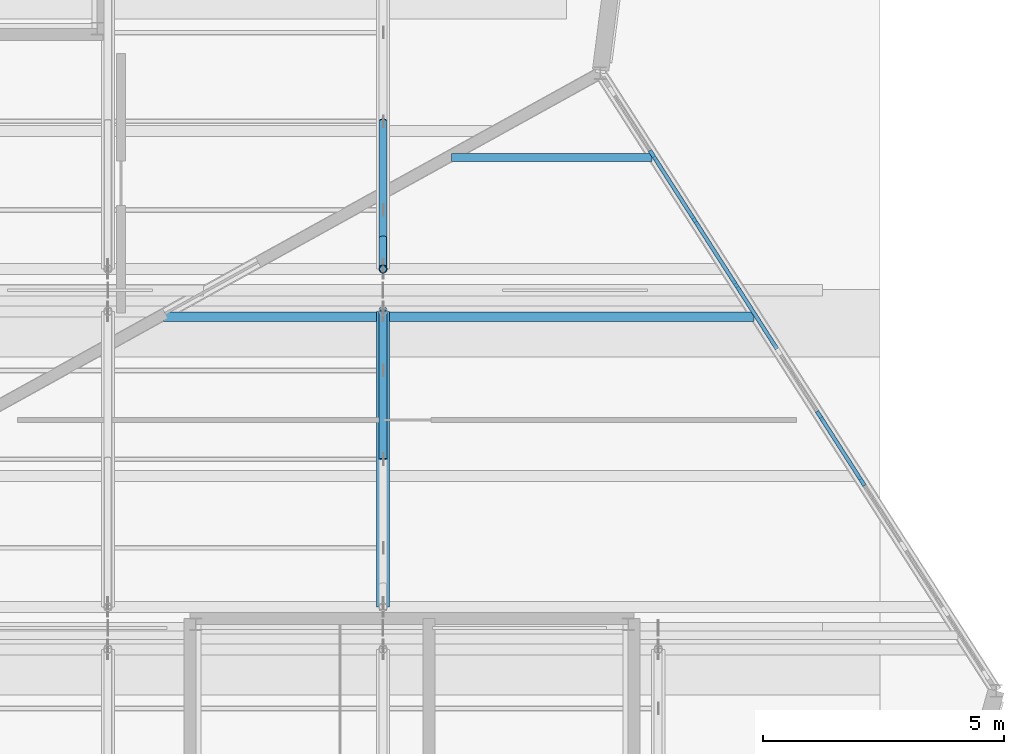
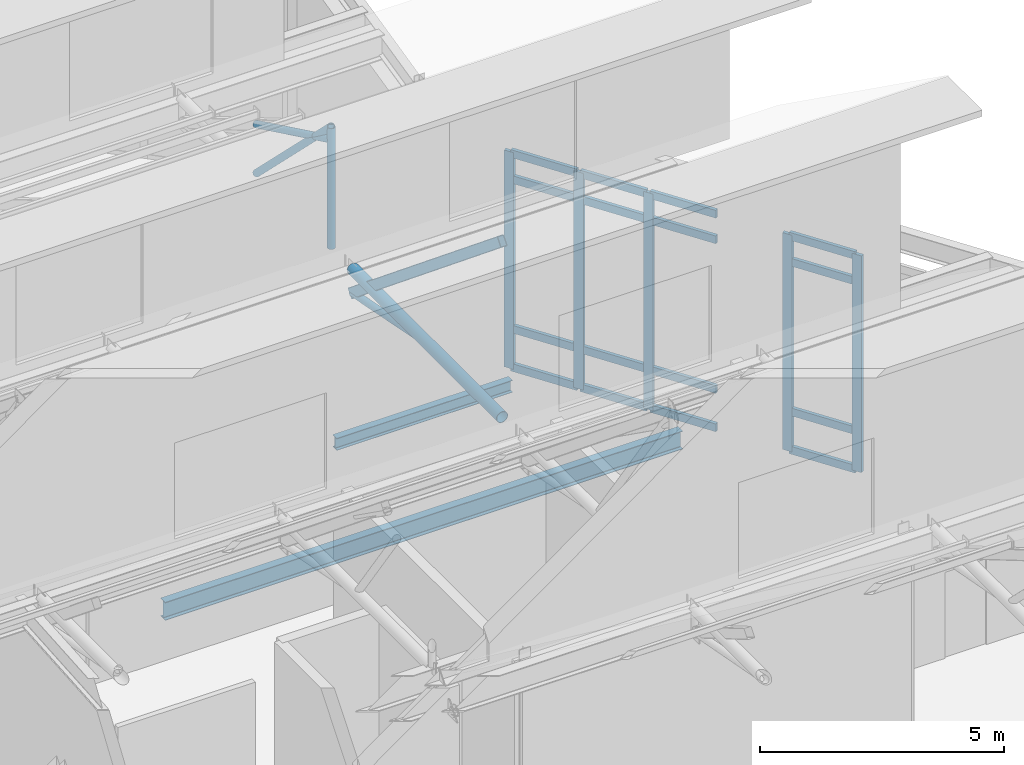
# One storey, part 35 of 55: 27 members, 2 beams, 1 element without a shape of its own.
"""IFC4 building model written with IfcOpenShell, lengths in metres."""

from ifc_helpers import new_model, si_unit, direction, frame, origin, origin_2d, place, context, subcontext, project, spatial, rectangle, hollow_rectangle, hollow_circle, i_section, extrude, material, material_profile, profile_set, type_object, element, aggregate, save


model = new_model("IFC4")

# Units and contexts
model_context = context("Model", 3, precision=1e-05, world=origin(), true_north=direction((0.0, 1.0)))
body_context = subcontext(model_context, "Body", "Model", "MODEL_VIEW")
ifc_project = project(units=[si_unit("LENGTHUNIT", "METRE"), si_unit("AREAUNIT", "SQUARE_METRE"), si_unit("VOLUMEUNIT", "CUBIC_METRE"), si_unit("PLANEANGLEUNIT", "RADIAN"), si_unit("MASSUNIT", "GRAM", prefix="KILO")], contexts=[model_context])

# Site, building, storey
site_placement = place(None, origin())
site = spatial("IfcSite", under=ifc_project, at=site_placement, CompositionType="ELEMENT")
building_placement = place(site_placement, origin())
building = spatial("IfcBuilding", under=site, at=building_placement, Name="Tameran Prism Museum", CompositionType="ELEMENT")
storey_placement = place(building_placement, frame((0.0, 0.0, 28.800048828125)))
storey = spatial("IfcBuildingStorey", under=building, at=storey_placement, Name="L05", CompositionType="ELEMENT", Elevation=28.800048828125)

# Beams
ifc_material_1 = material(Name="Steel Grade 300PLUS (300 MPa)", Category="steel")
ifc_material_profile_1 = material_profile(ifc_material_1, i_section(OverallWidth=0.1650390625, OverallDepth=0.303955078125, WebThickness=0.006103515625, FlangeThickness=0.01025390625, FilletRadius=0.011474609375, at=origin_2d()))
ifc_profile_set_1 = profile_set([ifc_material_profile_1])
beam_type_1 = type_object("IfcBeamType", Name="BM-J310B", PredefinedType="JOIST", material=ifc_profile_set_1)
beam_1_placement = place(storey_placement, frame((131.81689453125, 96.25, -0.39208984375), z_axis=(1.0, 0.0, 0.0), x_axis=(0.0, 1.0, 0.0)))
element("IfcBeam", 1, at=beam_1_placement, inside=storey, type_object=beam_type_1, Name="Floor Beam BM-1305", PredefinedType="JOIST", context=body_context, shape_type="SweptSolid", body=[
    extrude(i_section(OverallWidth=0.1650390625, OverallDepth=0.303955078125, WebThickness=0.006103515625, FlangeThickness=0.01025390625, FilletRadius=0.011474609375, at=origin_2d()), origin(), (0.0, 0.0, 1.0), 4.1572265625),
])
ifc_material_2 = material(Name="Steel Grade 300PLUS (300 MPa)", Category="steel")
ifc_material_profile_2 = material_profile(ifc_material_2, i_section(OverallWidth=0.18994140625, OverallDepth=0.4541015625, WebThickness=0.008544921875, FlangeThickness=0.0126953125, FilletRadius=0.011474609375, at=origin_2d()))
ifc_profile_set_2 = profile_set([ifc_material_profile_2])
beam_type_2 = type_object("IfcBeamType", Name="BM-J460B", PredefinedType="JOIST", material=ifc_profile_set_2)
beam_2_placement = place(storey_placement, frame((125.846923828125, 92.949951171875, -0.467041015625), z_axis=(1.0, 0.0, 0.0), x_axis=(0.0, 1.0, 0.0)))
element("IfcBeam", 2, at=beam_2_placement, inside=storey, type_object=beam_type_2, Name="Floor Beam BM-1304", PredefinedType="JOIST", context=body_context, shape_type="SweptSolid", body=[
    extrude(i_section(OverallWidth=0.18994140625, OverallDepth=0.4541015625, WebThickness=0.008544921875, FlangeThickness=0.0126953125, FilletRadius=0.011474609375, at=origin_2d()), origin(), (0.0, 0.0, 1.0), 12.240966796875),
])

# Curtain wall, members
ifc_material_3 = material(Name="Anodised Aluminium 6063-T6 and Cyclone Solar Glass", Category="aluminium")
curtain_wall_type = type_object("IfcCurtainWallType", Name="CW-FAC-1444x542", PredefinedType="USERDEFINED", material=ifc_material_3)
curtain_wall_placement = place(storey_placement, origin())
curtain_wall = element("IfcCurtainWall", 3, at=curtain_wall_placement, inside=storey, type_object=curtain_wall_type, Name="Unitised Curtain Wall CW-166", ObjectType="UNITISED CURTAIN WALL", PredefinedType="USERDEFINED")
ifc_material_4 = material(Name="Anodised Aluminium Alloy 6063-T6", Category="aluminium")
ifc_material_profile_3 = material_profile(ifc_material_4, rectangle(XDim=0.080078125, YDim=0.219970703125, at=origin_2d()))
ifc_profile_set_3 = profile_set([ifc_material_profile_3])
member_type_1 = type_object("IfcMemberType", Name="CW-MUL-D", PredefinedType="MULLION", material=ifc_profile_set_3)
member_1_placement = place(storey_placement, frame((135.986572265625, 96.303955078125, 0.0), z_axis=(0.0, 0.0, 1.0), x_axis=(0.842032375697, 0.539426990683, 0.0)))
member_1 = element("IfcMember", 4, at=member_1_placement, type_object=member_type_1, Name="CW-166 mullion 2", PredefinedType="MULLION", context=body_context, shape_type="SweptSolid", body=[
    extrude(rectangle(XDim=0.080078125, YDim=0.219970703125, at=origin_2d()), origin(), (0.0, 0.0, 1.0), 5.419921875),
])
member_2_placement = place(storey_placement, frame((136.85205078125, 94.952880859375, 0.0), z_axis=(0.0, 0.0, 1.0), x_axis=(0.842032375697, 0.539426990683, 0.0)))
member_2 = element("IfcMember", 5, at=member_2_placement, type_object=member_type_1, Name="CW-166 mullion 3", PredefinedType="MULLION", context=body_context, shape_type="SweptSolid", body=[
    extrude(rectangle(XDim=0.080078125, YDim=0.219970703125, at=origin_2d()), origin(), (0.0, 0.0, 1.0), 5.419921875),
])
member_3_placement = place(storey_placement, frame((137.7177734375, 93.6015625, 0.0), z_axis=(0.0, 0.0, 1.0), x_axis=(0.842032375697, 0.539426990683, 0.0)))
member_3 = element("IfcMember", 6, at=member_3_placement, type_object=member_type_1, Name="CW-166 mullion 4", PredefinedType="MULLION", context=body_context, shape_type="SweptSolid", body=[
    extrude(rectangle(XDim=0.080078125, YDim=0.219970703125, at=origin_2d()), origin(), (0.0, 0.0, 1.0), 5.419921875),
])
member_4_placement = place(storey_placement, frame((139.44873046875, 90.8994140625, 0.0), z_axis=(0.0, 0.0, 1.0), x_axis=(0.842032375697, 0.539426990683, 0.0)))
member_4 = element("IfcMember", 7, at=member_4_placement, type_object=member_type_1, Name="CW-166 mullion 6", PredefinedType="MULLION", context=body_context, shape_type="SweptSolid", body=[
    extrude(rectangle(XDim=0.080078125, YDim=0.219970703125, at=origin_2d()), origin(), (0.0, 0.0, 1.0), 5.419921875),
])
member_5_placement = place(storey_placement, frame((140.314453125, 89.54833984375, 0.0), z_axis=(0.0, 0.0, 1.0), x_axis=(0.842032375697, 0.539426990683, 0.0)))
member_5 = element("IfcMember", 8, at=member_5_placement, type_object=member_type_1, Name="CW-166 mullion 7", PredefinedType="MULLION", context=body_context, shape_type="SweptSolid", body=[
    extrude(rectangle(XDim=0.080078125, YDim=0.219970703125, at=origin_2d()), origin(), (0.0, 0.0, 1.0), 5.419921875),
])
ifc_material_5 = material(Name="Anodised Aluminium Alloy 6063-T6", Category="aluminium")
ifc_material_profile_4 = material_profile(ifc_material_5, rectangle(XDim=0.080078125, YDim=0.195068359375, at=origin_2d()))
ifc_profile_set_4 = profile_set([ifc_material_profile_4])
member_type_2 = type_object("IfcMemberType", Name="CW-TRN-D", PredefinedType="USERDEFINED", material=ifc_profile_set_4)
member_6_placement = place(storey_placement, frame((136.008056640625, 96.270263671875, 0.0400390625), z_axis=(0.539494402493, -0.8419891862, 0.0), x_axis=(0.8419891862, 0.539494402493, 0.0)))
member_6 = element("IfcMember", 9, at=member_6_placement, type_object=member_type_2, Name="CW-166 transom 2.1", ObjectType="TRANSOM", PredefinedType="USERDEFINED", context=body_context, shape_type="SweptSolid", body=[
    extrude(rectangle(XDim=0.080078125, YDim=0.195068359375, at=origin_2d()), origin(), (0.0, 0.0, 1.0), 1.524658203125),
])
member_7_placement = place(storey_placement, frame((136.008056640625, 96.270263671875, 1.0), z_axis=(0.539494402493, -0.8419891862, 0.0), x_axis=(0.8419891862, 0.539494402493, 0.0)))
member_7 = element("IfcMember", 10, at=member_7_placement, type_object=member_type_2, Name="CW-166 transom 2.2", ObjectType="TRANSOM", PredefinedType="USERDEFINED", context=body_context, shape_type="SweptSolid", body=[
    extrude(rectangle(XDim=0.080078125, YDim=0.195068359375, at=origin_2d()), origin(), (0.0, 0.0, 1.0), 1.524658203125),
])
member_8_placement = place(storey_placement, frame((136.008056640625, 96.270263671875, 4.739990234375), z_axis=(0.539494402493, -0.8419891862, 0.0), x_axis=(0.8419891862, 0.539494402493, 0.0)))
member_8 = element("IfcMember", 11, at=member_8_placement, type_object=member_type_2, Name="CW-166 transom 2.3", ObjectType="TRANSOM", PredefinedType="USERDEFINED", context=body_context, shape_type="SweptSolid", body=[
    extrude(rectangle(XDim=0.080078125, YDim=0.195068359375, at=origin_2d()), origin(), (0.0, 0.0, 1.0), 1.524658203125),
])
member_9_placement = place(storey_placement, frame((136.008056640625, 96.270263671875, 5.3798828125), z_axis=(0.539494402493, -0.8419891862, 0.0), x_axis=(0.8419891862, 0.539494402493, 0.0)))
member_9 = element("IfcMember", 12, at=member_9_placement, type_object=member_type_2, Name="CW-166 transom 2.4", ObjectType="TRANSOM", PredefinedType="USERDEFINED", context=body_context, shape_type="SweptSolid", body=[
    extrude(rectangle(XDim=0.080078125, YDim=0.195068359375, at=origin_2d()), origin(), (0.0, 0.0, 1.0), 1.524658203125),
])
member_10_placement = place(storey_placement, frame((136.873779296875, 94.919189453125, 0.0400390625), z_axis=(0.539308130352, -0.842108508766, 0.0), x_axis=(0.842108508766, 0.539308130352, 0.0)))
member_10 = element("IfcMember", 13, at=member_10_placement, type_object=member_type_2, Name="CW-166 transom 3.1", ObjectType="TRANSOM", PredefinedType="USERDEFINED", context=body_context, shape_type="SweptSolid", body=[
    extrude(rectangle(XDim=0.080078125, YDim=0.195068359375, at=origin_2d()), origin(), (0.0, 0.0, 1.0), 1.524658203125),
])
member_11_placement = place(storey_placement, frame((136.873779296875, 94.919189453125, 1.0), z_axis=(0.539308130352, -0.842108508766, 0.0), x_axis=(0.842108508766, 0.539308130352, 0.0)))
member_11 = element("IfcMember", 14, at=member_11_placement, type_object=member_type_2, Name="CW-166 transom 3.2", ObjectType="TRANSOM", PredefinedType="USERDEFINED", context=body_context, shape_type="SweptSolid", body=[
    extrude(rectangle(XDim=0.080078125, YDim=0.195068359375, at=origin_2d()), origin(), (0.0, 0.0, 1.0), 1.524658203125),
])
member_12_placement = place(storey_placement, frame((136.873779296875, 94.919189453125, 4.739990234375), z_axis=(0.539308130352, -0.842108508766, 0.0), x_axis=(0.842108508766, 0.539308130352, 0.0)))
member_12 = element("IfcMember", 15, at=member_12_placement, type_object=member_type_2, Name="CW-166 transom 3.3", ObjectType="TRANSOM", PredefinedType="USERDEFINED", context=body_context, shape_type="SweptSolid", body=[
    extrude(rectangle(XDim=0.080078125, YDim=0.195068359375, at=origin_2d()), origin(), (0.0, 0.0, 1.0), 1.524658203125),
])
member_13_placement = place(storey_placement, frame((136.873779296875, 94.919189453125, 5.3798828125), z_axis=(0.539308130352, -0.842108508766, 0.0), x_axis=(0.842108508766, 0.539308130352, 0.0)))
member_13 = element("IfcMember", 16, at=member_13_placement, type_object=member_type_2, Name="CW-166 transom 3.4", ObjectType="TRANSOM", PredefinedType="USERDEFINED", context=body_context, shape_type="SweptSolid", body=[
    extrude(rectangle(XDim=0.080078125, YDim=0.195068359375, at=origin_2d()), origin(), (0.0, 0.0, 1.0), 1.524658203125),
])
member_14_placement = place(storey_placement, frame((137.7392578125, 93.56787109375, 0.0400390625), z_axis=(0.539380860834, -0.84206192585, 0.0), x_axis=(0.84206192585, 0.539380860834, 0.0)))
member_14 = element("IfcMember", 17, at=member_14_placement, type_object=member_type_2, Name="CW-166 transom 4.1", ObjectType="TRANSOM", PredefinedType="USERDEFINED", context=body_context, shape_type="SweptSolid", body=[
    extrude(rectangle(XDim=0.080078125, YDim=0.195068359375, at=origin_2d()), origin(), (0.0, 0.0, 1.0), 1.5244140625),
])
member_15_placement = place(storey_placement, frame((137.7392578125, 93.56787109375, 1.0), z_axis=(0.539380860834, -0.84206192585, 0.0), x_axis=(0.84206192585, 0.539380860834, 0.0)))
member_15 = element("IfcMember", 18, at=member_15_placement, type_object=member_type_2, Name="CW-166 transom 4.2", ObjectType="TRANSOM", PredefinedType="USERDEFINED", context=body_context, shape_type="SweptSolid", body=[
    extrude(rectangle(XDim=0.080078125, YDim=0.195068359375, at=origin_2d()), origin(), (0.0, 0.0, 1.0), 1.5244140625),
])
member_16_placement = place(storey_placement, frame((137.7392578125, 93.56787109375, 4.739990234375), z_axis=(0.539380860834, -0.84206192585, 0.0), x_axis=(0.84206192585, 0.539380860834, 0.0)))
member_16 = element("IfcMember", 19, at=member_16_placement, type_object=member_type_2, Name="CW-166 transom 4.3", ObjectType="TRANSOM", PredefinedType="USERDEFINED", context=body_context, shape_type="SweptSolid", body=[
    extrude(rectangle(XDim=0.080078125, YDim=0.195068359375, at=origin_2d()), origin(), (0.0, 0.0, 1.0), 1.5244140625),
])
member_17_placement = place(storey_placement, frame((137.7392578125, 93.56787109375, 5.3798828125), z_axis=(0.539380860834, -0.84206192585, 0.0), x_axis=(0.84206192585, 0.539380860834, 0.0)))
member_17 = element("IfcMember", 20, at=member_17_placement, type_object=member_type_2, Name="CW-166 transom 4.4", ObjectType="TRANSOM", PredefinedType="USERDEFINED", context=body_context, shape_type="SweptSolid", body=[
    extrude(rectangle(XDim=0.080078125, YDim=0.195068359375, at=origin_2d()), origin(), (0.0, 0.0, 1.0), 1.5244140625),
])
member_18_placement = place(storey_placement, frame((139.470458984375, 90.86572265625, 0.0400390625), z_axis=(0.539380860834, -0.84206192585, 0.0), x_axis=(0.84206192585, 0.539380860834, 0.0)))
member_18 = element("IfcMember", 21, at=member_18_placement, type_object=member_type_2, Name="CW-166 transom 6.1", ObjectType="TRANSOM", PredefinedType="USERDEFINED", context=body_context, shape_type="SweptSolid", body=[
    extrude(rectangle(XDim=0.080078125, YDim=0.195068359375, at=origin_2d()), origin(), (0.0, 0.0, 1.0), 1.5244140625),
])
member_19_placement = place(storey_placement, frame((139.470458984375, 90.86572265625, 1.0), z_axis=(0.539380860834, -0.84206192585, 0.0), x_axis=(0.84206192585, 0.539380860834, 0.0)))
member_19 = element("IfcMember", 22, at=member_19_placement, type_object=member_type_2, Name="CW-166 transom 6.2", ObjectType="TRANSOM", PredefinedType="USERDEFINED", context=body_context, shape_type="SweptSolid", body=[
    extrude(rectangle(XDim=0.080078125, YDim=0.195068359375, at=origin_2d()), origin(), (0.0, 0.0, 1.0), 1.5244140625),
])
member_20_placement = place(storey_placement, frame((139.470458984375, 90.86572265625, 4.739990234375), z_axis=(0.539380860834, -0.84206192585, 0.0), x_axis=(0.84206192585, 0.539380860834, 0.0)))
member_20 = element("IfcMember", 23, at=member_20_placement, type_object=member_type_2, Name="CW-166 transom 6.3", ObjectType="TRANSOM", PredefinedType="USERDEFINED", context=body_context, shape_type="SweptSolid", body=[
    extrude(rectangle(XDim=0.080078125, YDim=0.195068359375, at=origin_2d()), origin(), (0.0, 0.0, 1.0), 1.5244140625),
])
member_21_placement = place(storey_placement, frame((139.470458984375, 90.86572265625, 5.3798828125), z_axis=(0.539380860834, -0.84206192585, 0.0), x_axis=(0.84206192585, 0.539380860834, 0.0)))
member_21 = element("IfcMember", 24, at=member_21_placement, type_object=member_type_2, Name="CW-166 transom 6.4", ObjectType="TRANSOM", PredefinedType="USERDEFINED", context=body_context, shape_type="SweptSolid", body=[
    extrude(rectangle(XDim=0.080078125, YDim=0.195068359375, at=origin_2d()), origin(), (0.0, 0.0, 1.0), 1.5244140625),
])
aggregate(curtain_wall, [member_1, member_2, member_3, member_4, member_5, member_6, member_7, member_8, member_9, member_10, member_11, member_12, member_13, member_14, member_15, member_16, member_17, member_18, member_19, member_20, member_21])

# Members
ifc_material_6 = material(Name="Steel Grade C350L0 (350 MPa)", Category="steel")
ifc_material_profile_5 = material_profile(ifc_material_6, hollow_circle(Radius=0.084228515625, WallThickness=0.007080078125, at=origin_2d()))
ifc_profile_set_5 = profile_set([ifc_material_profile_5])
member_type_3 = type_object("IfcMemberType", Name="MM-BR-CHS168", PredefinedType="BRACE", material=ifc_profile_set_5)
member_22_placement = place(storey_placement, frame((130.39990234375, 90.0, 6.385986328125), z_axis=(0.0, 0.981426640065, -0.191837822575), x_axis=(-1.0, 0.0, 0.0)))
element("IfcMember", 25, at=member_22_placement, inside=storey, type_object=member_type_3, Name="Sawtooth Brace STM-0111", PredefinedType="BRACE", context=body_context, shape_type="SweptSolid", body=[
    extrude(hollow_circle(Radius=0.084228515625, WallThickness=0.007080078125, at=origin_2d()), origin(), (0.0, 0.0, 1.0), 3.117919921875),
])
member_23_placement = place(storey_placement, frame((130.39990234375, 93.93994140625, 6.385986328125), z_axis=(0.0, 0.0, 1.0), x_axis=(1.0, 0.0, 0.0)))
element("IfcMember", 26, at=member_23_placement, inside=storey, type_object=member_type_3, Name="Sawtooth Brace STM-0143", PredefinedType="BRACE", context=body_context, shape_type="SweptSolid", body=[
    extrude(hollow_circle(Radius=0.084228515625, WallThickness=0.007080078125, at=origin_2d()), origin(), (0.0, 0.0, 1.0), 3.02294921875),
])
member_24_placement = place(storey_placement, frame((130.39990234375, 97.0, 6.385986328125), z_axis=(0.0, -0.711407246691, 0.70278000068), x_axis=(1.0, 0.0, 0.0)))
element("IfcMember", 27, at=member_24_placement, inside=storey, type_object=member_type_3, Name="Sawtooth Brace STM-0145", PredefinedType="BRACE", context=body_context, shape_type="SweptSolid", body=[
    extrude(hollow_circle(Radius=0.084228515625, WallThickness=0.007080078125, at=origin_2d()), origin(), (0.0, 0.0, 1.0), 4.301513671875),
])
ifc_material_7 = material(Name="Steel Grade C350L0 (350 MPa)", Category="steel")
ifc_material_profile_6 = material_profile(ifc_material_7, hollow_circle(Radius=0.136474609375, WallThickness=0.00927734375, at=origin_2d()))
ifc_profile_set_6 = profile_set([ifc_material_profile_6])
member_type_4 = type_object("IfcMemberType", Name="MM-CH-CHS273", PredefinedType="CHORD", material=ifc_profile_set_6)
member_25_placement = place(storey_placement, frame((130.39990234375, 86.93994140625, 6.385986328125), z_axis=(0.0, 1.0, 0.0), x_axis=(-1.0, 0.0, 0.0)))
element("IfcMember", 28, at=member_25_placement, inside=storey, type_object=member_type_4, Name="Sawtooth Chord STM-0106", PredefinedType="CHORD", context=body_context, shape_type="SweptSolid", body=[
    extrude(hollow_circle(Radius=0.136474609375, WallThickness=0.00927734375, at=origin_2d()), origin(), (0.0, 0.0, 1.0), 6.1201171875),
])
ifc_material_8 = material(Name="Steel Grade C350L0 (350 MPa)", Category="steel")
ifc_material_profile_7 = material_profile(ifc_material_8, hollow_rectangle(XDim=0.14990234375, YDim=0.25, WallThickness=0.009033203125, InnerFilletRadius=0.013427734375, OuterFilletRadius=0.0224609375, at=origin_2d()))
ifc_profile_set_7 = profile_set([ifc_material_profile_7])
member_type_5 = type_object("IfcMemberType", Name="MM-RF-RHS250", PredefinedType="RAFTER", material=ifc_profile_set_7)
member_26_placement = place(storey_placement, frame((130.39990234375, 86.93994140625, 10.787841796875), z_axis=(0.0, 0.774414062505, -0.632679112817), x_axis=(-1.0, 0.0, 0.0)))
element("IfcMember", 29, at=member_26_placement, inside=storey, type_object=member_type_5, Name="Sawtooth Rafter STM-0107", PredefinedType="RAFTER", context=body_context, shape_type="SweptSolid", body=[
    extrude(hollow_rectangle(XDim=0.14990234375, YDim=0.25, WallThickness=0.009033203125, InnerFilletRadius=0.013427734375, OuterFilletRadius=0.0224609375, at=origin_2d()), origin(), (0.0, 0.0, 1.0), 7.90283203125),
])
ifc_material_9 = material(Name="Steel Grade C350L0 (350 MPa)", Category="steel")
ifc_material_profile_8 = material_profile(ifc_material_9, hollow_circle(Radius=0.084228515625, WallThickness=0.007080078125, at=origin_2d()))
ifc_profile_set_8 = profile_set([ifc_material_profile_8])
member_type_6 = type_object("IfcMemberType", Name="MM-ST-CHS168", PredefinedType="STRUT", material=ifc_profile_set_8)
member_27_placement = place(storey_placement, frame((130.39990234375, 93.93994140625, 9.0888671875), z_axis=(0.0, 0.900239175025, -0.435395713978), x_axis=(-1.0, 0.0, 0.0)))
element("IfcMember", 30, at=member_27_placement, inside=storey, type_object=member_type_6, Name="Sawtooth Strut STM-0147", PredefinedType="STRUT", context=body_context, shape_type="SweptSolid", body=[
    extrude(hollow_circle(Radius=0.084228515625, WallThickness=0.007080078125, at=origin_2d()), origin(), (0.0, 0.0, 1.0), 3.399169921875),
])

save(model, "model.ifc")
